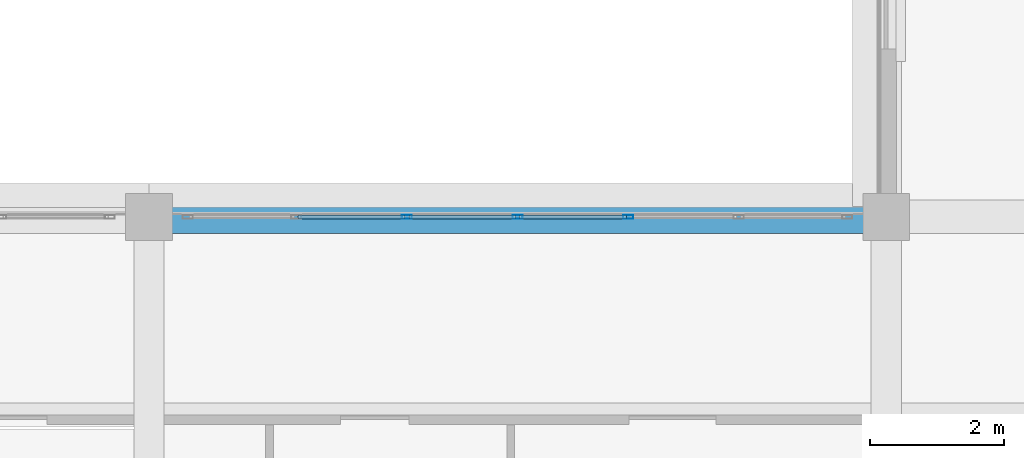
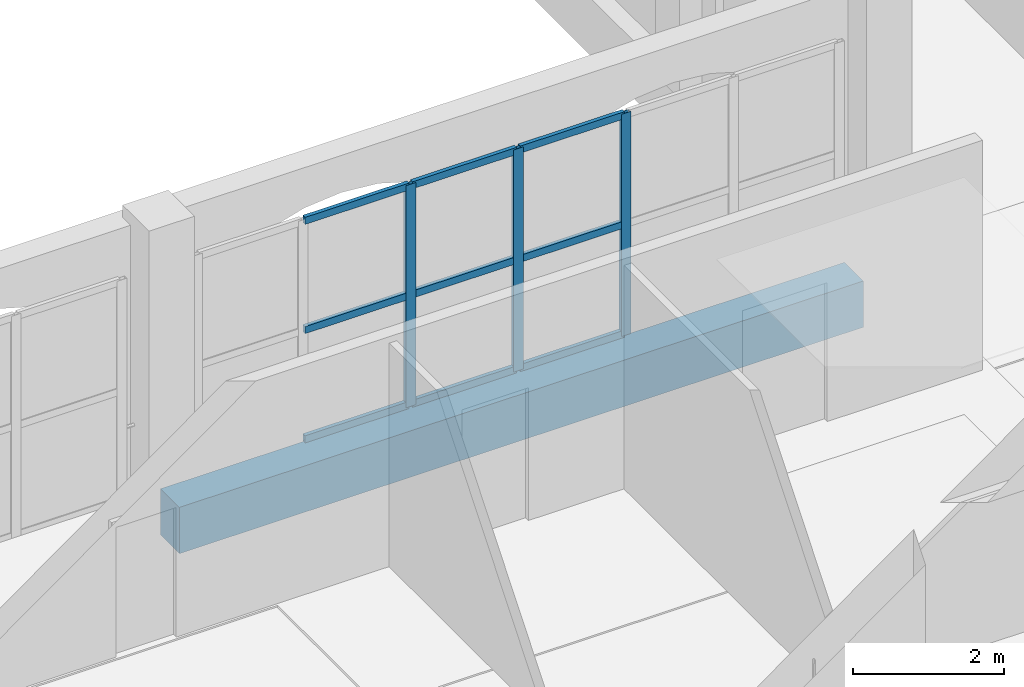
# One storey, part 47 of 156: 12 members, 1 beam, 1 element without a shape of its own.
"""IFC4 building model written with IfcOpenShell, lengths in metres."""

from ifc_helpers import new_model, si_unit, direction, frame, origin, origin_2d, place, context, subcontext, project, spatial, rectangle, hollow_rectangle, extrude, material, material_profile, profile_set, type_object, element, aggregate, save


model = new_model("IFC4")

# Units and contexts
model_context = context("Model", 3, precision=1e-05, world=origin(), true_north=direction((0.0, 1.0)))
body_context = subcontext(model_context, "Body", "Model", "MODEL_VIEW")
ifc_project = project(units=[si_unit("LENGTHUNIT", "METRE"), si_unit("AREAUNIT", "SQUARE_METRE"), si_unit("VOLUMEUNIT", "CUBIC_METRE"), si_unit("PLANEANGLEUNIT", "RADIAN"), si_unit("MASSUNIT", "GRAM", prefix="KILO")], contexts=[model_context])

# Site, building, storey
site_placement = place(None, origin())
site = spatial("IfcSite", under=ifc_project, at=site_placement, CompositionType="ELEMENT")
building_placement = place(site_placement, origin())
building = spatial("IfcBuilding", under=site, at=building_placement, Name="Caurita Quay Ferry Terminal", CompositionType="ELEMENT")
storey_placement = place(building_placement, frame((0.0, 0.0, 5.39990234375)))
storey = spatial("IfcBuildingStorey", under=building, at=storey_placement, Name="L01", CompositionType="ELEMENT", Elevation=5.39990234375)

# Beam
ifc_material_1 = material(Name="Reinforced concrete C35/45", Category="concrete")
ifc_material_profile_1 = material_profile(ifc_material_1, rectangle(XDim=0.5, YDim=0.75, at=origin_2d()), Name="RC-BM-500X750")
ifc_profile_set_1 = profile_set([ifc_material_profile_1], Name="Reinforced concrete C35/45")
beam_type = type_object("IfcBeamType", Name="BM-RC-5075", PredefinedType="BEAM", material=ifc_profile_set_1)
beam_placement = place(storey_placement, frame((55.1748046875, 80.199951171875, -0.594970703125), z_axis=(1.0, 0.0, 0.0), x_axis=(0.0, 1.0, 0.0)))
element("IfcBeam", 1, at=beam_placement, inside=storey, type_object=beam_type, Name="L01 Beam BM-V5-L01-X-552-802", PredefinedType="BEAM", context=body_context, shape_type="SweptSolid", body=[
    extrude(rectangle(XDim=0.5, YDim=0.75, at=origin_2d()), origin(), (0.0, 0.0, 1.0), 10.485107421875),
])

# Curtain wall, members
ifc_material_2 = material(Name="Laminated solar-control insulated glass", Category="glass")
curtain_wall_type = type_object("IfcCurtainWallType", Name="CW-SYS-23", PredefinedType="NOTDEFINED", material=ifc_material_2)
curtain_wall_placement = place(storey_placement, origin())
curtain_wall = element("IfcCurtainWall", 2, at=curtain_wall_placement, inside=storey, type_object=curtain_wall_type, Name="L01 Courtyard Cloister Storefront 159", PredefinedType="NOTDEFINED")
ifc_material_3 = material(Name="Anodized aluminium 6063-T6", Category="aluminium")
ifc_material_profile_2 = material_profile(ifc_material_3, hollow_rectangle(XDim=0.06005859375, YDim=0.14990234375, WallThickness=0.00341796875, at=origin_2d()), Name="ALU-MUL-60X150")
ifc_profile_set_2 = profile_set([ifc_material_profile_2], Name="Anodized aluminium 6063-T6")
member_type_1 = type_object("IfcMemberType", Name="CW-MUL-150", PredefinedType="MULLION", material=ifc_profile_set_2)
member_1_placement = place(storey_placement, frame((58.85009765625, 80.199951171875, 0.0), z_axis=(0.0, 0.0, 1.0), x_axis=(0.0, 1.0, 0.0)))
member_1 = element("IfcMember", 3, at=member_1_placement, type_object=member_type_1, Name="CW-CRT-159 Mullion 3", PredefinedType="MULLION", context=body_context, shape_type="SweptSolid", body=[
    extrude(hollow_rectangle(XDim=0.06005859375, YDim=0.14990234375, WallThickness=0.00341796875, at=origin_2d()), origin(), (0.0, 0.0, 1.0), 3.60009765625),
])
member_2_placement = place(storey_placement, frame((60.5, 80.199951171875, 0.0), z_axis=(0.0, 0.0, 1.0), x_axis=(0.0, 1.0, 0.0)))
member_2 = element("IfcMember", 4, at=member_2_placement, type_object=member_type_1, Name="CW-CRT-159 Mullion 4", PredefinedType="MULLION", context=body_context, shape_type="SweptSolid", body=[
    extrude(hollow_rectangle(XDim=0.06005859375, YDim=0.14990234375, WallThickness=0.00341796875, at=origin_2d()), origin(), (0.0, 0.0, 1.0), 3.60009765625),
])
member_3_placement = place(storey_placement, frame((62.14990234375, 80.199951171875, 0.0), z_axis=(0.0, 0.0, 1.0), x_axis=(0.0, 1.0, 0.0)))
member_3 = element("IfcMember", 5, at=member_3_placement, type_object=member_type_1, Name="CW-CRT-159 Mullion 5", PredefinedType="MULLION", context=body_context, shape_type="SweptSolid", body=[
    extrude(hollow_rectangle(XDim=0.06005859375, YDim=0.14990234375, WallThickness=0.00341796875, at=origin_2d()), origin(), (0.0, 0.0, 1.0), 3.60009765625),
])
ifc_material_profile_3 = material_profile(ifc_material_3, hollow_rectangle(XDim=0.06005859375, YDim=0.114990234375, WallThickness=0.00341796875, at=origin_2d()), Name="ALU-TRN-60X115")
ifc_profile_set_3 = profile_set([ifc_material_profile_3], Name="Anodized aluminium 6063-T6")
member_type_2 = type_object("IfcMemberType", Name="CW-TRN-115", PredefinedType="USERDEFINED", material=ifc_profile_set_3)
member_4_placement = place(storey_placement, frame((57.22802734375, 80.199951171875, 0.030029296875), z_axis=(1.0, 0.0, 0.0), x_axis=(0.0, 1.0, 0.0)))
member_4 = element("IfcMember", 6, at=member_4_placement, type_object=member_type_2, Name="CW-CRT-159 Transom 4", ObjectType="TRANSOM", PredefinedType="USERDEFINED", context=body_context, shape_type="SweptSolid", body=[
    extrude(hollow_rectangle(XDim=0.06005859375, YDim=0.114990234375, WallThickness=0.00341796875, at=origin_2d()), origin(), (0.0, 0.0, 1.0), 1.593994140625),
])
member_5_placement = place(storey_placement, frame((57.22802734375, 80.199951171875, 1.800048828125), z_axis=(1.0, 0.0, 0.0), x_axis=(0.0, 1.0, 0.0)))
member_5 = element("IfcMember", 7, at=member_5_placement, type_object=member_type_2, Name="CW-CRT-159 Transom 5", ObjectType="TRANSOM", PredefinedType="USERDEFINED", context=body_context, shape_type="SweptSolid", body=[
    extrude(hollow_rectangle(XDim=0.06005859375, YDim=0.114990234375, WallThickness=0.00341796875, at=origin_2d()), origin(), (0.0, 0.0, 1.0), 1.593994140625),
])
member_6_placement = place(storey_placement, frame((57.22802734375, 80.199951171875, 3.570068359375), z_axis=(1.0, 0.0, 0.0), x_axis=(0.0, 1.0, 0.0)))
member_6 = element("IfcMember", 8, at=member_6_placement, type_object=member_type_2, Name="CW-CRT-159 Transom 6", ObjectType="TRANSOM", PredefinedType="USERDEFINED", context=body_context, shape_type="SweptSolid", body=[
    extrude(hollow_rectangle(XDim=0.06005859375, YDim=0.114990234375, WallThickness=0.00341796875, at=origin_2d()), origin(), (0.0, 0.0, 1.0), 1.593994140625),
])
member_7_placement = place(storey_placement, frame((58.8779296875, 80.199951171875, 0.030029296875), z_axis=(1.0, 0.0, 0.0), x_axis=(0.0, 1.0, 0.0)))
member_7 = element("IfcMember", 9, at=member_7_placement, type_object=member_type_2, Name="CW-CRT-159 Transom 7", ObjectType="TRANSOM", PredefinedType="USERDEFINED", context=body_context, shape_type="SweptSolid", body=[
    extrude(hollow_rectangle(XDim=0.06005859375, YDim=0.114990234375, WallThickness=0.00341796875, at=origin_2d()), origin(), (0.0, 0.0, 1.0), 1.593994140625),
])
member_8_placement = place(storey_placement, frame((58.8779296875, 80.199951171875, 1.800048828125), z_axis=(1.0, 0.0, 0.0), x_axis=(0.0, 1.0, 0.0)))
member_8 = element("IfcMember", 10, at=member_8_placement, type_object=member_type_2, Name="CW-CRT-159 Transom 8", ObjectType="TRANSOM", PredefinedType="USERDEFINED", context=body_context, shape_type="SweptSolid", body=[
    extrude(hollow_rectangle(XDim=0.06005859375, YDim=0.114990234375, WallThickness=0.00341796875, at=origin_2d()), origin(), (0.0, 0.0, 1.0), 1.593994140625),
])
member_9_placement = place(storey_placement, frame((58.8779296875, 80.199951171875, 3.570068359375), z_axis=(1.0, 0.0, 0.0), x_axis=(0.0, 1.0, 0.0)))
member_9 = element("IfcMember", 11, at=member_9_placement, type_object=member_type_2, Name="CW-CRT-159 Transom 9", ObjectType="TRANSOM", PredefinedType="USERDEFINED", context=body_context, shape_type="SweptSolid", body=[
    extrude(hollow_rectangle(XDim=0.06005859375, YDim=0.114990234375, WallThickness=0.00341796875, at=origin_2d()), origin(), (0.0, 0.0, 1.0), 1.593994140625),
])
member_10_placement = place(storey_placement, frame((60.528076171875, 80.199951171875, 0.030029296875), z_axis=(1.0, 0.0, 0.0), x_axis=(0.0, 1.0, 0.0)))
member_10 = element("IfcMember", 12, at=member_10_placement, type_object=member_type_2, Name="CW-CRT-159 Transom 10", ObjectType="TRANSOM", PredefinedType="USERDEFINED", context=body_context, shape_type="SweptSolid", body=[
    extrude(hollow_rectangle(XDim=0.06005859375, YDim=0.114990234375, WallThickness=0.00341796875, at=origin_2d()), origin(), (0.0, 0.0, 1.0), 1.593994140625),
])
member_11_placement = place(storey_placement, frame((60.528076171875, 80.199951171875, 1.800048828125), z_axis=(1.0, 0.0, 0.0), x_axis=(0.0, 1.0, 0.0)))
member_11 = element("IfcMember", 13, at=member_11_placement, type_object=member_type_2, Name="CW-CRT-159 Transom 11", ObjectType="TRANSOM", PredefinedType="USERDEFINED", context=body_context, shape_type="SweptSolid", body=[
    extrude(hollow_rectangle(XDim=0.06005859375, YDim=0.114990234375, WallThickness=0.00341796875, at=origin_2d()), origin(), (0.0, 0.0, 1.0), 1.593994140625),
])
member_12_placement = place(storey_placement, frame((60.528076171875, 80.199951171875, 3.570068359375), z_axis=(1.0, 0.0, 0.0), x_axis=(0.0, 1.0, 0.0)))
member_12 = element("IfcMember", 14, at=member_12_placement, type_object=member_type_2, Name="CW-CRT-159 Transom 12", ObjectType="TRANSOM", PredefinedType="USERDEFINED", context=body_context, shape_type="SweptSolid", body=[
    extrude(hollow_rectangle(XDim=0.06005859375, YDim=0.114990234375, WallThickness=0.00341796875, at=origin_2d()), origin(), (0.0, 0.0, 1.0), 1.593994140625),
])
aggregate(curtain_wall, [member_1, member_2, member_3, member_4, member_5, member_6, member_7, member_8, member_9, member_10, member_11, member_12])

save(model, "model.ifc")
